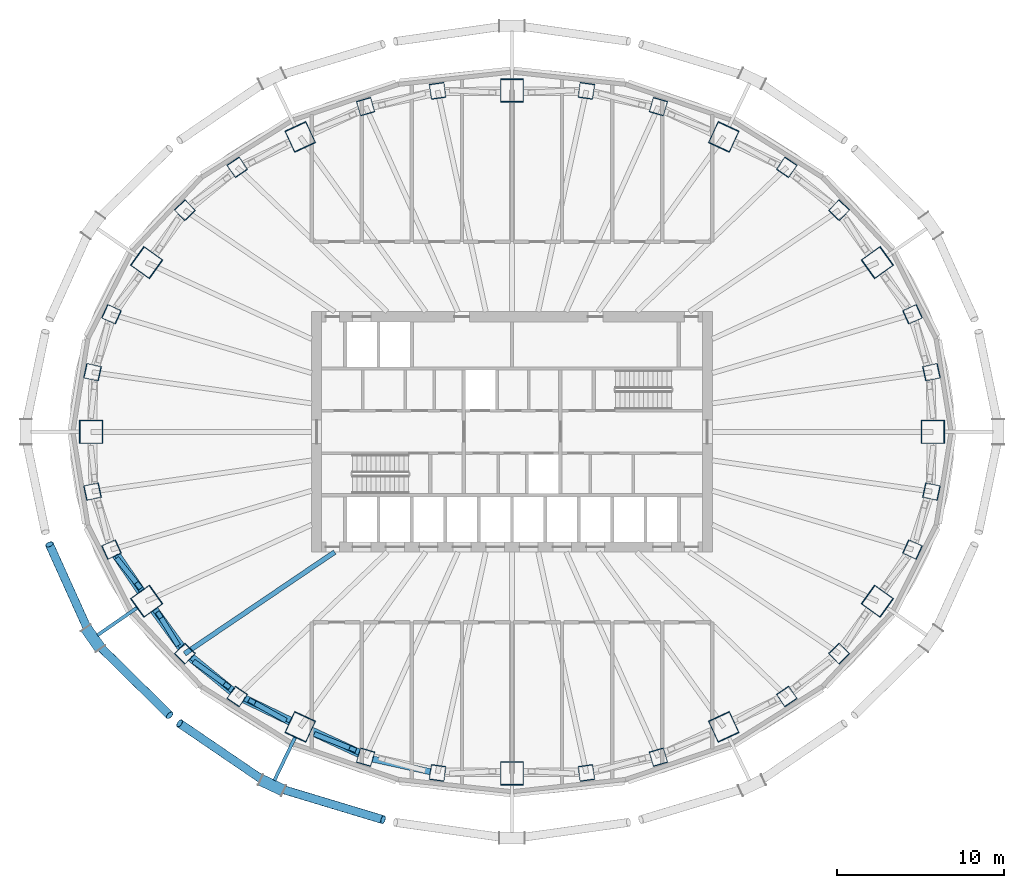
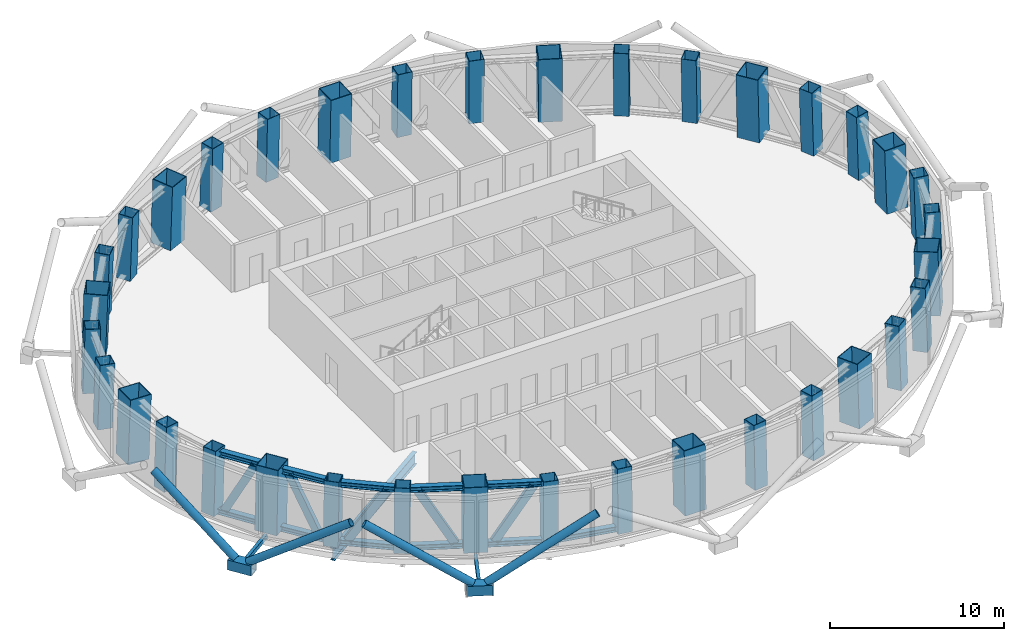
# One storey, part 1 of 18: 36 columns, 13 members, 12 beams.
"""IFC4 building model written with IfcOpenShell, lengths in metres."""

from ifc_helpers import new_model, si_unit, direction, frame, origin, origin_2d, place, context, subcontext, project, spatial, hollow_rectangle, hollow_circle, i_section, extrude, material, material_profile, profile_set, type_object, element, save


model = new_model("IFC4")

# Units and contexts
model_context = context("Model", 3, precision=1e-05, world=origin(), true_north=direction((0.0, 1.0)))
body_context = subcontext(model_context, "Body", "Model", "MODEL_VIEW")
ifc_project = project(units=[si_unit("LENGTHUNIT", "METRE"), si_unit("AREAUNIT", "SQUARE_METRE"), si_unit("VOLUMEUNIT", "CUBIC_METRE"), si_unit("PLANEANGLEUNIT", "RADIAN"), si_unit("MASSUNIT", "GRAM", prefix="KILO")], contexts=[model_context])

# Site, building, storey
site_placement = place(None, origin())
site = spatial("IfcSite", under=ifc_project, at=site_placement, CompositionType="ELEMENT")
building_placement = place(site_placement, origin())
building = spatial("IfcBuilding", under=site, at=building_placement, Name="Siaravel Broadcast Tower", CompositionType="ELEMENT")
storey_placement = place(building_placement, frame((0.0, 0.0, 92.60009765625)))
storey = spatial("IfcBuildingStorey", under=building, at=storey_placement, Name="L21", CompositionType="ELEMENT", Elevation=92.60009765625)

# Columns
ifc_material_1 = material(Name="Concrete C70/85", Category="concrete")
ifc_material_profile_1 = material_profile(ifc_material_1, hollow_rectangle(XDim=1.39990234375, YDim=1.39990234375, WallThickness=0.0400390625, at=origin_2d()))
ifc_profile_set_1 = profile_set([ifc_material_profile_1], Name="Concrete C70/85")
column_type_1 = type_object("IfcColumnType", Name="COL-CFT BOX 1400x1400x40", PredefinedType="COLUMN", material=ifc_profile_set_1)
column_1_placement = place(storey_placement, frame((25.2373046875, 0.0, 0.0), z_axis=(-0.034592998, 0.0, 0.999401483), x_axis=(0.0, -1.0, 0.0)))
element("IfcColumn", 1, at=column_1_placement, inside=storey, type_object=column_type_1, Name="Megacolumn MC01", PredefinedType="COLUMN", context=body_context, shape_type="SweptSolid", body=[
    extrude(hollow_rectangle(XDim=1.39990234375, YDim=1.39990234375, WallThickness=0.0400390625, at=origin_2d()), origin(), (0.0, 0.0, 1.0), 4.502685546875),
])
column_2_placement = place(storey_placement, frame((21.90966796875, 10.15283203125, 0.0), z_axis=(-0.029931498, -0.014152393, 0.999451757), x_axis=(0.582332285, -0.812929249, 0.005928434)))
element("IfcColumn", 2, at=column_2_placement, inside=storey, type_object=column_type_1, Name="Megacolumn MC02", PredefinedType="COLUMN", context=body_context, shape_type="SweptSolid", body=[
    extrude(hollow_rectangle(XDim=1.39990234375, YDim=1.39990234375, WallThickness=0.0400390625, at=origin_2d()), origin(), (0.0, 0.0, 1.0), 4.50244140625),
])
column_3_placement = place(storey_placement, frame((12.698486328125, 17.688720703125, 0.0), z_axis=(-0.017299044, -0.024565727, 0.999548532), x_axis=(0.907811324, -0.419343991, 0.005405218)))
element("IfcColumn", 3, at=column_3_placement, inside=storey, type_object=column_type_1, Name="Megacolumn MC03", PredefinedType="COLUMN", context=body_context, shape_type="SweptSolid", body=[
    extrude(hollow_rectangle(XDim=1.39990234375, YDim=1.39990234375, WallThickness=0.0400390625, at=origin_2d()), origin(), (0.0, 0.0, 1.0), 4.501953125),
])
column_4_placement = place(storey_placement, frame((0.0, 20.47314453125, 0.0), z_axis=(0.0, -0.028308962, 0.999599221), x_axis=(1.0, 0.0, 0.0)))
element("IfcColumn", 4, at=column_4_placement, inside=storey, type_object=column_type_1, Name="Megacolumn MC04", PredefinedType="COLUMN", context=body_context, shape_type="SweptSolid", body=[
    extrude(hollow_rectangle(XDim=1.39990234375, YDim=1.39990234375, WallThickness=0.0400390625, at=origin_2d()), origin(), (0.0, 0.0, 1.0), 4.501708984375),
])
column_5_placement = place(storey_placement, frame((-12.698486328125, 17.688720703125, 0.0), z_axis=(0.017299044, -0.024565727, 0.999548532), x_axis=(0.907811324, 0.419343991, -0.005405218)))
element("IfcColumn", 5, at=column_5_placement, inside=storey, type_object=column_type_1, Name="Megacolumn MC05", PredefinedType="COLUMN", context=body_context, shape_type="SweptSolid", body=[
    extrude(hollow_rectangle(XDim=1.39990234375, YDim=1.39990234375, WallThickness=0.0400390625, at=origin_2d()), origin(), (0.0, 0.0, 1.0), 4.501953125),
])
column_6_placement = place(storey_placement, frame((-21.90966796875, 10.15283203125, 0.0), z_axis=(0.029931498, -0.014152393, 0.999451757), x_axis=(0.582332285, 0.812929249, -0.005928434)))
element("IfcColumn", 6, at=column_6_placement, inside=storey, type_object=column_type_1, Name="Megacolumn MC06", PredefinedType="COLUMN", context=body_context, shape_type="SweptSolid", body=[
    extrude(hollow_rectangle(XDim=1.39990234375, YDim=1.39990234375, WallThickness=0.0400390625, at=origin_2d()), origin(), (0.0, 0.0, 1.0), 4.50244140625),
])
column_7_placement = place(storey_placement, frame((-25.2373046875, 0.0, 0.0), z_axis=(0.034592998, 0.0, 0.999401483), x_axis=(0.0, 1.0, 0.0)))
element("IfcColumn", 7, at=column_7_placement, inside=storey, type_object=column_type_1, Name="Megacolumn MC07", PredefinedType="COLUMN", context=body_context, shape_type="SweptSolid", body=[
    extrude(hollow_rectangle(XDim=1.39990234375, YDim=1.39990234375, WallThickness=0.0400390625, at=origin_2d()), origin(), (0.0, 0.0, 1.0), 4.502685546875),
])
column_8_placement = place(storey_placement, frame((-21.90966796875, -10.15283203125, 0.0), z_axis=(0.029931498, 0.014152393, 0.999451757), x_axis=(-0.582332285, 0.812929249, 0.005928434)))
element("IfcColumn", 8, at=column_8_placement, inside=storey, type_object=column_type_1, Name="Megacolumn MC08", PredefinedType="COLUMN", context=body_context, shape_type="SweptSolid", body=[
    extrude(hollow_rectangle(XDim=1.39990234375, YDim=1.39990234375, WallThickness=0.0400390625, at=origin_2d()), origin(), (0.0, 0.0, 1.0), 4.50244140625),
])
column_9_placement = place(storey_placement, frame((-12.698486328125, -17.688720703125, 0.0), z_axis=(0.017299044, 0.024565727, 0.999548532), x_axis=(-0.907811324, 0.419343991, 0.005405218)))
element("IfcColumn", 9, at=column_9_placement, inside=storey, type_object=column_type_1, Name="Megacolumn MC09", PredefinedType="COLUMN", context=body_context, shape_type="SweptSolid", body=[
    extrude(hollow_rectangle(XDim=1.39990234375, YDim=1.39990234375, WallThickness=0.0400390625, at=origin_2d()), origin(), (0.0, 0.0, 1.0), 4.501953125),
])
column_10_placement = place(storey_placement, frame((0.0, -20.47314453125, 0.0), z_axis=(0.0, 0.028308962, 0.999599221), x_axis=(-1.0, 0.0, 0.0)))
element("IfcColumn", 10, at=column_10_placement, inside=storey, type_object=column_type_1, Name="Megacolumn MC10", PredefinedType="COLUMN", context=body_context, shape_type="SweptSolid", body=[
    extrude(hollow_rectangle(XDim=1.39990234375, YDim=1.39990234375, WallThickness=0.0400390625, at=origin_2d()), origin(), (0.0, 0.0, 1.0), 4.501708984375),
])
column_11_placement = place(storey_placement, frame((12.698486328125, -17.688720703125, 0.0), z_axis=(-0.017299044, 0.024565727, 0.999548532), x_axis=(-0.907811324, -0.419343991, -0.005405218)))
element("IfcColumn", 11, at=column_11_placement, inside=storey, type_object=column_type_1, Name="Megacolumn MC11", PredefinedType="COLUMN", context=body_context, shape_type="SweptSolid", body=[
    extrude(hollow_rectangle(XDim=1.39990234375, YDim=1.39990234375, WallThickness=0.0400390625, at=origin_2d()), origin(), (0.0, 0.0, 1.0), 4.501953125),
])
column_12_placement = place(storey_placement, frame((21.90966796875, -10.15283203125, 0.0), z_axis=(-0.029931498, 0.014152393, 0.999451757), x_axis=(-0.582332285, -0.812929249, -0.005928434)))
element("IfcColumn", 12, at=column_12_placement, inside=storey, type_object=column_type_1, Name="Megacolumn MC12", PredefinedType="COLUMN", context=body_context, shape_type="SweptSolid", body=[
    extrude(hollow_rectangle(XDim=1.39990234375, YDim=1.39990234375, WallThickness=0.0400390625, at=origin_2d()), origin(), (0.0, 0.0, 1.0), 4.50244140625),
])
ifc_material_profile_2 = material_profile(ifc_material_1, hollow_rectangle(XDim=0.89990234375, YDim=0.89990234375, WallThickness=0.02490234375, at=origin_2d()))
ifc_profile_set_2 = profile_set([ifc_material_profile_2], Name="Concrete C70/85")
column_type_2 = type_object("IfcColumnType", Name="COL-CFT BOX 900x900x25", PredefinedType="COLUMN", material=ifc_profile_set_2)
for number, where, z_axis, x_axis, name in (
    (13, (25.155029296875, 3.577880859375, 0.0), (-0.034051008, -0.004934143, 0.999407916), (0.212972347, -0.977055199, 0.002432433), "Perimeter column C01"),
    (14, (24.017822265625, 7.0537109375, 0.0), (-0.032479153, -0.00970579, 0.999425286), (0.410308664, -0.911935715, 0.004477995), "Perimeter column C02"),
):
    element("IfcColumn", number, at=place(storey_placement, frame(where, z_axis=z_axis, x_axis=x_axis)), inside=storey, type_object=column_type_2, Name=name, PredefinedType="COLUMN", context=body_context, shape_type="SweptSolid", body=[
        extrude(hollow_rectangle(XDim=0.89990234375, YDim=0.89990234375, WallThickness=0.02490234375, at=origin_2d()), origin(), (0.0, 0.0, 1.0), 4.502685546875),
    ])
column_13_placement = place(storey_placement, frame((19.61669921875, 13.29443359375, 0.0), z_axis=(-0.026516214, -0.01821973, 0.999482332), x_axis=(0.719964386, -0.693981039, 0.006449922)))
element("IfcColumn", 15, at=column_13_placement, inside=storey, type_object=column_type_2, Name="Perimeter column C03", PredefinedType="COLUMN", context=body_context, shape_type="SweptSolid", body=[
    extrude(hollow_rectangle(XDim=0.89990234375, YDim=0.89990234375, WallThickness=0.02490234375, at=origin_2d()), origin(), (0.0, 0.0, 1.0), 4.50244140625),
])
column_14_placement = place(storey_placement, frame((16.476318359375, 15.86669921875, 0.0), z_axis=(-0.022287391, -0.021690891, 0.999516272), x_axis=(0.827019988, -0.562137864, 0.006241866)))
element("IfcColumn", 16, at=column_14_placement, inside=storey, type_object=column_type_2, Name="Perimeter column C04", PredefinedType="COLUMN", context=body_context, shape_type="SweptSolid", body=[
    extrude(hollow_rectangle(XDim=0.89990234375, YDim=0.89990234375, WallThickness=0.02490234375, at=origin_2d()), origin(), (0.0, 0.0, 1.0), 4.502197265625),
])
column_15_placement = place(storey_placement, frame((8.779296875, 19.505615234375, 0.0), z_axis=(-0.011822237, -0.026627147, 0.999575525), x_axis=(0.959734246, -0.280882912, 0.003868737)))
element("IfcColumn", 17, at=column_15_placement, inside=storey, type_object=column_type_2, Name="Perimeter column C05", PredefinedType="COLUMN", context=body_context, shape_type="SweptSolid", body=[
    extrude(hollow_rectangle(XDim=0.89990234375, YDim=0.89990234375, WallThickness=0.02490234375, at=origin_2d()), origin(), (0.0, 0.0, 1.0), 4.501953125),
])
for number, where, z_axis, x_axis, name in (
    (18, (4.458984375, 20.45361328125, 0.0), (-0.006019686, -0.027874943, 0.999593293), (0.990002599, -0.141034524, 0.002029001), "Perimeter column C06"),
    (19, (-4.458984375, 20.45361328125, 0.0), (0.006019686, -0.027874943, 0.999593293), (0.990002599, 0.141034524, -0.002029001), "Perimeter column C07"),
):
    element("IfcColumn", number, at=place(storey_placement, frame(where, z_axis=z_axis, x_axis=x_axis)), inside=storey, type_object=column_type_2, Name=name, PredefinedType="COLUMN", context=body_context, shape_type="SweptSolid", body=[
        extrude(hollow_rectangle(XDim=0.89990234375, YDim=0.89990234375, WallThickness=0.02490234375, at=origin_2d()), origin(), (0.0, 0.0, 1.0), 4.501708984375),
    ])
column_16_placement = place(storey_placement, frame((-8.779296875, 19.505615234375, 0.0), z_axis=(0.011822237, -0.026627147, 0.999575525), x_axis=(0.959734246, 0.280882912, -0.003868737)))
element("IfcColumn", 20, at=column_16_placement, inside=storey, type_object=column_type_2, Name="Perimeter column C08", PredefinedType="COLUMN", context=body_context, shape_type="SweptSolid", body=[
    extrude(hollow_rectangle(XDim=0.89990234375, YDim=0.89990234375, WallThickness=0.02490234375, at=origin_2d()), origin(), (0.0, 0.0, 1.0), 4.501953125),
])
column_17_placement = place(storey_placement, frame((-16.476318359375, 15.86669921875, 0.0), z_axis=(0.022287391, -0.021690891, 0.999516272), x_axis=(0.827019988, 0.562137864, -0.006241866)))
element("IfcColumn", 21, at=column_17_placement, inside=storey, type_object=column_type_2, Name="Perimeter column C09", PredefinedType="COLUMN", context=body_context, shape_type="SweptSolid", body=[
    extrude(hollow_rectangle(XDim=0.89990234375, YDim=0.89990234375, WallThickness=0.02490234375, at=origin_2d()), origin(), (0.0, 0.0, 1.0), 4.502197265625),
])
column_18_placement = place(storey_placement, frame((-19.61669921875, 13.29443359375, 0.0), z_axis=(0.026516214, -0.01821973, 0.999482332), x_axis=(0.719964386, 0.693981039, -0.006449922)))
element("IfcColumn", 22, at=column_18_placement, inside=storey, type_object=column_type_2, Name="Perimeter column C10", PredefinedType="COLUMN", context=body_context, shape_type="SweptSolid", body=[
    extrude(hollow_rectangle(XDim=0.89990234375, YDim=0.89990234375, WallThickness=0.02490234375, at=origin_2d()), origin(), (0.0, 0.0, 1.0), 4.50244140625),
])
for number, where, z_axis, x_axis, name in (
    (23, (-24.017822265625, 7.0537109375, 0.0), (0.032479153, -0.00970579, 0.999425286), (0.410308664, 0.911935715, -0.004477995), "Perimeter column C11"),
    (24, (-25.155029296875, 3.577880859375, 0.0), (0.034051008, -0.004934143, 0.999407916), (0.212972347, 0.977055199, -0.002432433), "Perimeter column C12"),
    (25, (-25.155029296875, -3.577880859375, 0.0), (0.034051008, 0.004934143, 0.999407916), (-0.212972347, 0.977055199, 0.002432433), "Perimeter column C13"),
    (26, (-24.017822265625, -7.0537109375, 0.0), (0.032479153, 0.00970579, 0.999425286), (-0.410308664, 0.911935715, 0.004477995), "Perimeter column C14"),
):
    element("IfcColumn", number, at=place(storey_placement, frame(where, z_axis=z_axis, x_axis=x_axis)), inside=storey, type_object=column_type_2, Name=name, PredefinedType="COLUMN", context=body_context, shape_type="SweptSolid", body=[
        extrude(hollow_rectangle(XDim=0.89990234375, YDim=0.89990234375, WallThickness=0.02490234375, at=origin_2d()), origin(), (0.0, 0.0, 1.0), 4.502685546875),
    ])
column_19_placement = place(storey_placement, frame((-19.61669921875, -13.29443359375, 0.0), z_axis=(0.026516214, 0.01821973, 0.999482332), x_axis=(-0.719964386, 0.693981039, 0.006449922)))
element("IfcColumn", 27, at=column_19_placement, inside=storey, type_object=column_type_2, Name="Perimeter column C15", PredefinedType="COLUMN", context=body_context, shape_type="SweptSolid", body=[
    extrude(hollow_rectangle(XDim=0.89990234375, YDim=0.89990234375, WallThickness=0.02490234375, at=origin_2d()), origin(), (0.0, 0.0, 1.0), 4.50244140625),
])
column_20_placement = place(storey_placement, frame((-16.476318359375, -15.86669921875, 0.0), z_axis=(0.022287391, 0.021690891, 0.999516272), x_axis=(-0.827019988, 0.562137864, 0.006241866)))
element("IfcColumn", 28, at=column_20_placement, inside=storey, type_object=column_type_2, Name="Perimeter column C16", PredefinedType="COLUMN", context=body_context, shape_type="SweptSolid", body=[
    extrude(hollow_rectangle(XDim=0.89990234375, YDim=0.89990234375, WallThickness=0.02490234375, at=origin_2d()), origin(), (0.0, 0.0, 1.0), 4.502197265625),
])
column_21_placement = place(storey_placement, frame((-8.779296875, -19.505615234375, 0.0), z_axis=(0.011822237, 0.026627147, 0.999575525), x_axis=(-0.959734246, 0.280882912, 0.003868737)))
element("IfcColumn", 29, at=column_21_placement, inside=storey, type_object=column_type_2, Name="Perimeter column C17", PredefinedType="COLUMN", context=body_context, shape_type="SweptSolid", body=[
    extrude(hollow_rectangle(XDim=0.89990234375, YDim=0.89990234375, WallThickness=0.02490234375, at=origin_2d()), origin(), (0.0, 0.0, 1.0), 4.501953125),
])
for number, where, z_axis, x_axis, name in (
    (30, (-4.458984375, -20.45361328125, 0.0), (0.006019686, 0.027874943, 0.999593293), (-0.990002599, 0.141034524, 0.002029001), "Perimeter column C18"),
    (31, (4.458984375, -20.45361328125, 0.0), (-0.006019686, 0.027874943, 0.999593293), (-0.990002599, -0.141034524, -0.002029001), "Perimeter column C19"),
):
    element("IfcColumn", number, at=place(storey_placement, frame(where, z_axis=z_axis, x_axis=x_axis)), inside=storey, type_object=column_type_2, Name=name, PredefinedType="COLUMN", context=body_context, shape_type="SweptSolid", body=[
        extrude(hollow_rectangle(XDim=0.89990234375, YDim=0.89990234375, WallThickness=0.02490234375, at=origin_2d()), origin(), (0.0, 0.0, 1.0), 4.501708984375),
    ])
column_22_placement = place(storey_placement, frame((8.779296875, -19.505615234375, 0.0), z_axis=(-0.011822237, 0.026627147, 0.999575525), x_axis=(-0.959734246, -0.280882912, -0.003868737)))
element("IfcColumn", 32, at=column_22_placement, inside=storey, type_object=column_type_2, Name="Perimeter column C20", PredefinedType="COLUMN", context=body_context, shape_type="SweptSolid", body=[
    extrude(hollow_rectangle(XDim=0.89990234375, YDim=0.89990234375, WallThickness=0.02490234375, at=origin_2d()), origin(), (0.0, 0.0, 1.0), 4.501953125),
])
column_23_placement = place(storey_placement, frame((16.476318359375, -15.86669921875, 0.0), z_axis=(-0.022287391, 0.021690891, 0.999516272), x_axis=(-0.827019988, -0.562137864, -0.006241866)))
element("IfcColumn", 33, at=column_23_placement, inside=storey, type_object=column_type_2, Name="Perimeter column C21", PredefinedType="COLUMN", context=body_context, shape_type="SweptSolid", body=[
    extrude(hollow_rectangle(XDim=0.89990234375, YDim=0.89990234375, WallThickness=0.02490234375, at=origin_2d()), origin(), (0.0, 0.0, 1.0), 4.502197265625),
])
column_24_placement = place(storey_placement, frame((19.61669921875, -13.29443359375, 0.0), z_axis=(-0.026516214, 0.01821973, 0.999482332), x_axis=(-0.719964386, -0.693981039, -0.006449922)))
element("IfcColumn", 34, at=column_24_placement, inside=storey, type_object=column_type_2, Name="Perimeter column C22", PredefinedType="COLUMN", context=body_context, shape_type="SweptSolid", body=[
    extrude(hollow_rectangle(XDim=0.89990234375, YDim=0.89990234375, WallThickness=0.02490234375, at=origin_2d()), origin(), (0.0, 0.0, 1.0), 4.50244140625),
])
for number, where, z_axis, x_axis, name in (
    (35, (24.017822265625, -7.0537109375, 0.0), (-0.032479153, 0.00970579, 0.999425286), (-0.410308664, -0.911935715, -0.004477995), "Perimeter column C23"),
    (36, (25.155029296875, -3.577880859375, 0.0), (-0.034051008, 0.004934143, 0.999407916), (-0.212972347, -0.977055199, -0.002432433), "Perimeter column C24"),
):
    element("IfcColumn", number, at=place(storey_placement, frame(where, z_axis=z_axis, x_axis=x_axis)), inside=storey, type_object=column_type_2, Name=name, PredefinedType="COLUMN", context=body_context, shape_type="SweptSolid", body=[
        extrude(hollow_rectangle(XDim=0.89990234375, YDim=0.89990234375, WallThickness=0.02490234375, at=origin_2d()), origin(), (0.0, 0.0, 1.0), 4.502685546875),
    ])

# Beams
ifc_material_2 = material(Name="Steel S355", Category="steel")
ifc_material_profile_3 = material_profile(ifc_material_2, i_section(OverallWidth=0.291748046875, OverallDepth=0.8349609375, WebThickness=0.013916015625, FlangeThickness=0.018798828125, FilletRadius=0.017822265625, at=origin_2d()))
ifc_profile_set_3 = profile_set([ifc_material_profile_3], Name="Steel S355")
beam_type_1 = type_object("IfcBeamType", Name="BM-UB 838x292x176", PredefinedType="BEAM", material=ifc_profile_set_3)
beam_1_placement = place(storey_placement, frame((-19.61669921875, -13.29443359375, -0.817626953125), z_axis=(0.827804556, 0.561016592, 0.0), x_axis=(-0.561016592, 0.827804556, 0.0)))
element("IfcBeam", 37, at=beam_1_placement, inside=storey, type_object=beam_type_1, Name="Radial beam RB23", PredefinedType="BEAM", context=body_context, shape_type="SweptSolid", body=[
    extrude(i_section(OverallWidth=0.291748046875, OverallDepth=0.8349609375, WebThickness=0.013916015625, FlangeThickness=0.018798828125, FilletRadius=0.017822265625, at=origin_2d()), origin(), (0.0, 0.0, 1.0), 10.86328125),
])
ifc_material_3 = material(Name="Steel S460", Category="steel")
ifc_material_profile_4 = material_profile(ifc_material_3, i_section(OverallWidth=0.374755859375, OverallDepth=0.37451171875, WebThickness=0.0166015625, FlangeThickness=0.027099609375, FilletRadius=0.01513671875, at=origin_2d()))
ifc_profile_set_4 = profile_set([ifc_material_profile_4], Name="Steel S460")
beam_type_2 = type_object("IfcBeamType", Name="Belt truss chord UC 356x368x202", PredefinedType="BEAM", material=ifc_profile_set_4)
beam_2_placement = place(storey_placement, frame((-23.78173828125, -7.40087890625, 0.187255859375), z_axis=(0.562433106, -0.826842791, 0.0), x_axis=(0.826842791, 0.562433106, 0.0)))
element("IfcBeam", 38, at=beam_2_placement, inside=storey, type_object=beam_type_2, Name="Belt truss 1 bottom chord 21", PredefinedType="BEAM", context=body_context, shape_type="SweptSolid", body=[
    extrude(i_section(OverallWidth=0.374755859375, OverallDepth=0.37451171875, WebThickness=0.0166015625, FlangeThickness=0.027099609375, FilletRadius=0.01513671875, at=origin_2d()), origin(), (0.0, 0.0, 1.0), 2.658203125),
])
beam_3_placement = place(storey_placement, frame((-23.63525390625, -7.357177734375, 4.16259765625), z_axis=(0.562882554, -0.82653689, 0.0), x_axis=(0.82653689, 0.562882554, 0.0)))
element("IfcBeam", 39, at=beam_3_placement, inside=storey, type_object=beam_type_2, Name="Belt truss 1 top chord 21", PredefinedType="BEAM", context=body_context, shape_type="SweptSolid", body=[
    extrude(i_section(OverallWidth=0.374755859375, OverallDepth=0.37451171875, WebThickness=0.0166015625, FlangeThickness=0.027099609375, FilletRadius=0.01513671875, at=origin_2d()), origin(), (0.0, 0.0, 1.0), 2.63525390625),
])
beam_4_placement = place(storey_placement, frame((-21.5146484375, -10.694091796875, 0.187255859375), z_axis=(0.589539817, -0.807739317, 0.0), x_axis=(0.807739317, 0.589539817, 0.0)))
element("IfcBeam", 40, at=beam_4_placement, inside=storey, type_object=beam_type_2, Name="Belt truss 1 bottom chord 22", PredefinedType="BEAM", context=body_context, shape_type="SweptSolid", body=[
    extrude(i_section(OverallWidth=0.374755859375, OverallDepth=0.37451171875, WebThickness=0.0166015625, FlangeThickness=0.027099609375, FilletRadius=0.01513671875, at=origin_2d()), origin(), (0.0, 0.0, 1.0), 2.799560546875),
])
beam_5_placement = place(storey_placement, frame((-21.380126953125, -10.630615234375, 4.16259765625), z_axis=(0.589206855, -0.807982229, 0.0), x_axis=(0.807982229, 0.589206855, 0.0)))
element("IfcBeam", 41, at=beam_5_placement, inside=storey, type_object=beam_type_2, Name="Belt truss 1 top chord 22", PredefinedType="BEAM", context=body_context, shape_type="SweptSolid", body=[
    extrude(i_section(OverallWidth=0.374755859375, OverallDepth=0.37451171875, WebThickness=0.0166015625, FlangeThickness=0.027099609375, FilletRadius=0.01513671875, at=origin_2d()), origin(), (0.0, 0.0, 1.0), 2.775390625),
])
beam_6_placement = place(storey_placement, frame((-19.291748046875, -13.560546875, 0.187255859375), z_axis=(0.77362609, -0.633642385, 0.0), x_axis=(0.633642385, 0.77362609, 0.0)))
element("IfcBeam", 42, at=beam_6_placement, inside=storey, type_object=beam_type_2, Name="Belt truss 1 bottom chord 23", PredefinedType="BEAM", context=body_context, shape_type="SweptSolid", body=[
    extrude(i_section(OverallWidth=0.374755859375, OverallDepth=0.37451171875, WebThickness=0.0166015625, FlangeThickness=0.027099609375, FilletRadius=0.01513671875, at=origin_2d()), origin(), (0.0, 0.0, 1.0), 3.219482421875),
])
beam_7_placement = place(storey_placement, frame((-19.172607421875, -13.478515625, 4.16259765625), z_axis=(0.77363035, -0.633637185, 0.0), x_axis=(0.633637185, 0.77363035, 0.0)))
element("IfcBeam", 43, at=beam_7_placement, inside=storey, type_object=beam_type_2, Name="Belt truss 1 top chord 23", PredefinedType="BEAM", context=body_context, shape_type="SweptSolid", body=[
    extrude(i_section(OverallWidth=0.374755859375, OverallDepth=0.37451171875, WebThickness=0.0166015625, FlangeThickness=0.027099609375, FilletRadius=0.01513671875, at=origin_2d()), origin(), (0.0, 0.0, 1.0), 3.19482421875),
])
beam_8_placement = place(storey_placement, frame((-16.097900390625, -16.04931640625, 0.187255859375), z_axis=(0.900722523, -0.434394909, 0.0), x_axis=(0.434394909, 0.900722523, 0.0)))
element("IfcBeam", 44, at=beam_8_placement, inside=storey, type_object=beam_type_2, Name="Belt truss 1 bottom chord 24", PredefinedType="BEAM", context=body_context, shape_type="SweptSolid", body=[
    extrude(i_section(OverallWidth=0.374755859375, OverallDepth=0.37451171875, WebThickness=0.0166015625, FlangeThickness=0.027099609375, FilletRadius=0.01513671875, at=origin_2d()), origin(), (0.0, 0.0, 1.0), 3.10400390625),
])
beam_9_placement = place(storey_placement, frame((-15.99755859375, -15.951416015625, 4.16259765625), z_axis=(0.900928179, -0.433968221, 0.0), x_axis=(0.433968221, 0.900928179, 0.0)))
element("IfcBeam", 45, at=beam_9_placement, inside=storey, type_object=beam_type_2, Name="Belt truss 1 top chord 24", PredefinedType="BEAM", context=body_context, shape_type="SweptSolid", body=[
    extrude(i_section(OverallWidth=0.374755859375, OverallDepth=0.37451171875, WebThickness=0.0166015625, FlangeThickness=0.027099609375, FilletRadius=0.01513671875, at=origin_2d()), origin(), (0.0, 0.0, 1.0), 3.078369140625),
])
beam_10_placement = place(storey_placement, frame((-12.090576171875, -17.970458984375, 0.187255859375), z_axis=(0.907250109, -0.420591535, 0.0), x_axis=(0.420591535, 0.907250109, 0.0)))
element("IfcBeam", 46, at=beam_10_placement, inside=storey, type_object=beam_type_2, Name="Belt truss 1 bottom chord 25", PredefinedType="BEAM", context=body_context, shape_type="SweptSolid", body=[
    extrude(i_section(OverallWidth=0.374755859375, OverallDepth=0.37451171875, WebThickness=0.0166015625, FlangeThickness=0.027099609375, FilletRadius=0.01513671875, at=origin_2d()), origin(), (0.0, 0.0, 1.0), 3.229736328125),
])
beam_11_placement = place(storey_placement, frame((-12.0126953125, -17.860107421875, 4.16259765625), z_axis=(0.907022483, -0.421082196, 0.0), x_axis=(0.421082196, 0.907022483, 0.0)))
element("IfcBeam", 47, at=beam_11_placement, inside=storey, type_object=beam_type_2, Name="Belt truss 1 top chord 25", PredefinedType="BEAM", context=body_context, shape_type="SweptSolid", body=[
    extrude(i_section(OverallWidth=0.374755859375, OverallDepth=0.37451171875, WebThickness=0.0166015625, FlangeThickness=0.027099609375, FilletRadius=0.01513671875, at=origin_2d()), origin(), (0.0, 0.0, 1.0), 3.203369140625),
])
beam_12_placement = place(storey_placement, frame((-8.369140625, -19.595703125, 0.187255859375), z_axis=(0.976754435, -0.214361315, 0.0), x_axis=(0.214361315, 0.976754435, 0.0)))
element("IfcBeam", 48, at=beam_12_placement, inside=storey, type_object=beam_type_2, Name="Belt truss 1 bottom chord 26", PredefinedType="BEAM", context=body_context, shape_type="SweptSolid", body=[
    extrude(i_section(OverallWidth=0.374755859375, OverallDepth=0.37451171875, WebThickness=0.0166015625, FlangeThickness=0.027099609375, FilletRadius=0.01513671875, at=origin_2d()), origin(), (0.0, 0.0, 1.0), 3.5830078125),
])

# Members
ifc_material_profile_5 = material_profile(ifc_material_3, hollow_rectangle(XDim=0.300048828125, YDim=0.5, WallThickness=0.01611328125, at=origin_2d()))
ifc_profile_set_5 = profile_set([ifc_material_profile_5], Name="Steel S460")
member_type_1 = type_object("IfcMemberType", Name="Belt truss web RHS 500x300x16", PredefinedType="BRACE", material=ifc_profile_set_5)
member_1_placement = place(storey_placement, frame((-23.557373046875, -7.730712890625, 0.344482421875), z_axis=(0.287011733, -0.358572141, 0.888285024), x_axis=(0.780705201, 0.624899504, 0.0)))
element("IfcMember", 49, at=member_1_placement, inside=storey, type_object=member_type_1, Name="Belt truss 1 web 21", PredefinedType="BRACE", context=body_context, shape_type="SweptSolid", body=[
    extrude(hollow_rectangle(XDim=0.300048828125, YDim=0.5, WallThickness=0.01611328125, at=origin_2d()), origin(), (0.0, 0.0, 1.0), 4.121337890625),
])
member_2_placement = place(storey_placement, frame((-20.11181640625, -12.6162109375, 0.344482421875), z_axis=(-0.246876834, 0.398066799, 0.883512678), x_axis=(-0.849830576, -0.527055967, 0.0)))
element("IfcMember", 50, at=member_2_placement, inside=storey, type_object=member_type_1, Name="Belt truss 1 web 22", PredefinedType="BRACE", context=body_context, shape_type="SweptSolid", body=[
    extrude(hollow_rectangle(XDim=0.300048828125, YDim=0.5, WallThickness=0.01611328125, at=origin_2d()), origin(), (0.0, 0.0, 1.0), 4.1435546875),
])
member_3_placement = place(storey_placement, frame((-18.918212890625, -13.86669921875, 0.344482421875), z_axis=(0.428281243, -0.309078279, 0.849144154), x_axis=(0.585196916, 0.810891219, 0.0)))
element("IfcMember", 51, at=member_3_placement, inside=storey, type_object=member_type_1, Name="Belt truss 1 web 23", PredefinedType="BRACE", context=body_context, shape_type="SweptSolid", body=[
    extrude(hollow_rectangle(XDim=0.300048828125, YDim=0.5, WallThickness=0.01611328125, at=origin_2d()), origin(), (0.0, 0.0, 1.0), 4.311279296875),
])
member_4_placement = place(storey_placement, frame((-13.72119140625, -17.1953125, 0.344482421875), z_axis=(-0.439070907, 0.24632915, 0.864024704), x_axis=(-0.489282824, -0.872125174, 0.0)))
element("IfcMember", 52, at=member_4_placement, inside=storey, type_object=member_type_1, Name="Belt truss 1 web 24", PredefinedType="BRACE", context=body_context, shape_type="SweptSolid", body=[
    extrude(hollow_rectangle(XDim=0.300048828125, YDim=0.5, WallThickness=0.01611328125, at=origin_2d()), origin(), (0.0, 0.0, 1.0), 4.237060546875),
])
member_5_placement = place(storey_placement, frame((-11.65087890625, -18.17431640625, 0.344482421875), z_axis=(0.489575637, -0.193301291, 0.850264845), x_axis=(0.367245022, 0.930124236, 0.0)))
element("IfcMember", 53, at=member_5_placement, inside=storey, type_object=member_type_1, Name="Belt truss 1 web 25", PredefinedType="BRACE", context=body_context, shape_type="SweptSolid", body=[
    extrude(hollow_rectangle(XDim=0.300048828125, YDim=0.5, WallThickness=0.01611328125, at=origin_2d()), origin(), (0.0, 0.0, 1.0), 4.3056640625),
])
ifc_material_profile_6 = material_profile(ifc_material_3, hollow_circle(Radius=0.25390625, WallThickness=0.02001953125, at=origin_2d()))
ifc_profile_set_6 = profile_set([ifc_material_profile_6], Name="Steel S460")
member_type_2 = type_object("IfcMemberType", Name="Diagrid diagonal CHS 508x20", PredefinedType="BRACE", material=ifc_profile_set_6)
member_6_placement = place(storey_placement, frame((-25.31884765625, -12.052978515625, 0.119873046875), z_axis=(-0.342967514, 0.760141107, 0.551868447), x_axis=(-0.911515389, -0.411265966, 0.0)))
element("IfcMember", 54, at=member_6_placement, inside=storey, type_object=member_type_2, Name="Diagrid diagonal R09 station 42C", PredefinedType="BRACE", context=body_context, shape_type="SweptSolid", body=[
    extrude(hollow_circle(Radius=0.25390625, WallThickness=0.02001953125, at=origin_2d()), origin(), (0.0, 0.0, 1.0), 6.99462890625),
])
member_7_placement = place(storey_placement, frame((-24.881591796875, -12.67333984375, 0.119873046875), z_axis=(0.603041015, -0.594050454, 0.532396085), x_axis=(0.701776379, 0.7123973, 0.0)))
element("IfcMember", 55, at=member_7_placement, inside=storey, type_object=member_type_2, Name="Diagrid diagonal R09 station 42A", PredefinedType="BRACE", context=body_context, shape_type="SweptSolid", body=[
    extrude(hollow_circle(Radius=0.25390625, WallThickness=0.02001953125, at=origin_2d()), origin(), (0.0, 0.0, 1.0), 7.25048828125),
])
member_8_placement = place(storey_placement, frame((-14.71923828125, -21.007568359375, 0.119873046875), z_axis=(-0.704461757, 0.480175097, 0.522652379), x_axis=(-0.563224928, -0.826303625, 0.0)))
element("IfcMember", 56, at=member_8_placement, inside=storey, type_object=member_type_2, Name="Diagrid diagonal R09 station 48C", PredefinedType="BRACE", context=body_context, shape_type="SweptSolid", body=[
    extrude(hollow_circle(Radius=0.25390625, WallThickness=0.02001953125, at=origin_2d()), origin(), (0.0, 0.0, 1.0), 7.385498046875),
])
member_9_placement = place(storey_placement, frame((-14.033203125, -21.331787109375, 0.119873046875), z_axis=(0.826096536, -0.249162045, 0.505453053), x_axis=(0.288764975, 0.957400015, 0.0)))
element("IfcMember", 57, at=member_9_placement, inside=storey, type_object=member_type_2, Name="Diagrid diagonal R09 station 48A", PredefinedType="BRACE", context=body_context, shape_type="SweptSolid", body=[
    extrude(hollow_circle(Radius=0.25390625, WallThickness=0.02001953125, at=origin_2d()), origin(), (0.0, 0.0, 1.0), 7.636962890625),
])
ifc_material_profile_7 = material_profile(ifc_material_3, hollow_rectangle(XDim=0.699951171875, YDim=0.699951171875, WallThickness=0.0400390625, at=origin_2d()))
ifc_profile_set_7 = profile_set([ifc_material_profile_7], Name="Steel S460")
member_type_3 = type_object("IfcMemberType", Name="Diagrid node BOX 700x700x40", PredefinedType="USERDEFINED", material=ifc_profile_set_7)
for number, where, z_axis, x_axis, name in (
    (58, (-25.5341796875, -11.747314453125, -0.2001953125), (0.576015054, -0.817439085, 0.0), (0.817439085, 0.576015054, 0.0), "Diagrid node R09 station 42"),
    (59, (-15.057373046875, -20.84765625, -0.2001953125), (0.904060884, -0.427403694, 0.0), (0.427403694, 0.904060884, 0.0), "Diagrid node R09 station 48"),
):
    element("IfcMember", number, at=place(storey_placement, frame(where, z_axis=z_axis, x_axis=x_axis)), inside=storey, type_object=member_type_3, Name=name, ObjectType="DIAGRID NODE", PredefinedType="USERDEFINED", context=body_context, shape_type="SweptSolid", body=[
        extrude(hollow_rectangle(XDim=0.699951171875, YDim=0.699951171875, WallThickness=0.0400390625, at=origin_2d()), origin(), (0.0, 0.0, 1.0), 1.5068359375),
    ])
ifc_material_profile_8 = material_profile(ifc_material_3, hollow_rectangle(XDim=0.199951171875, YDim=0.300048828125, WallThickness=0.012451171875, at=origin_2d()))
ifc_profile_set_8 = profile_set([ifc_material_profile_8], Name="Steel S460")
member_type_4 = type_object("IfcMemberType", Name="Diagrid node arm RHS 300x200x12.5", PredefinedType="STRUT", material=ifc_profile_set_8)
member_10_placement = place(storey_placement, frame((-22.46044921875, -10.534423828125, -0.2001953125), z_axis=(-0.822046263, -0.569420707, 0.0), x_axis=(0.569420707, -0.822046263, 0.0)))
element("IfcMember", 60, at=member_10_placement, inside=storey, type_object=member_type_4, Name="Node arm R09 station 42", PredefinedType="STRUT", context=body_context, shape_type="SweptSolid", body=[
    extrude(hollow_rectangle(XDim=0.199951171875, YDim=0.300048828125, WallThickness=0.012451171875, at=origin_2d()), origin(), (0.0, 0.0, 1.0), 2.8916015625),
])
member_11_placement = place(storey_placement, frame((-12.9892578125, -18.292236328125, -0.2001953125), z_axis=(-0.434221649, -0.900806061, 0.0), x_axis=(0.900806061, -0.434221649, 0.0)))
element("IfcMember", 61, at=member_11_placement, inside=storey, type_object=member_type_4, Name="Node arm R09 station 48", PredefinedType="STRUT", context=body_context, shape_type="SweptSolid", body=[
    extrude(hollow_rectangle(XDim=0.199951171875, YDim=0.300048828125, WallThickness=0.012451171875, at=origin_2d()), origin(), (0.0, 0.0, 1.0), 2.874267578125),
])

save(model, "model.ifc")
